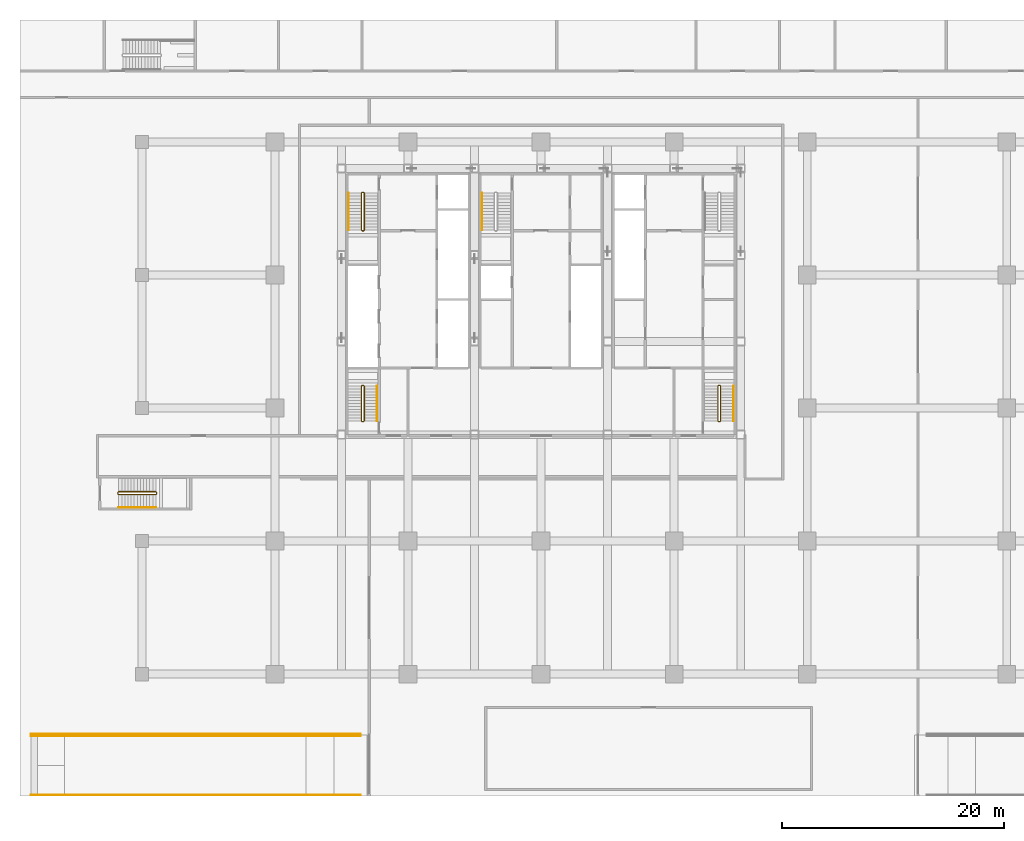
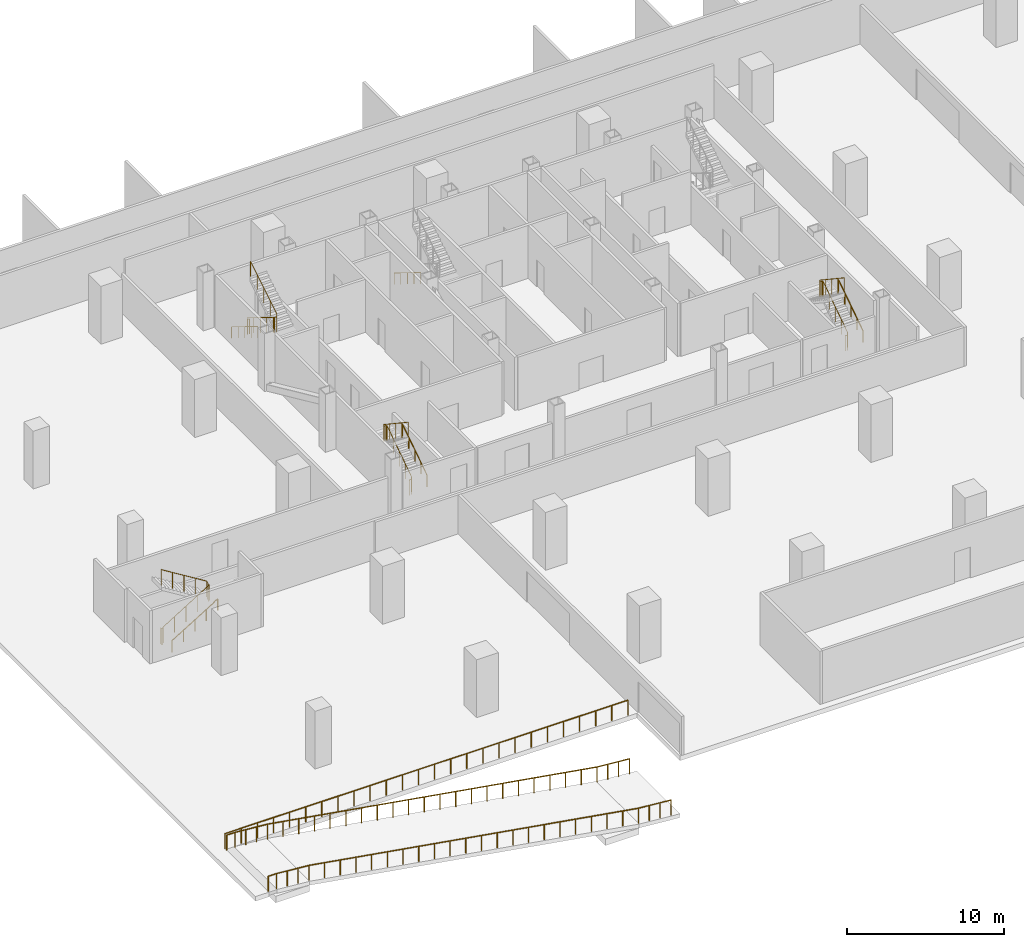
# One storey, part 13 of 15: 12 railings.
"""IFC4 building model written with IfcOpenShell, lengths in metres."""

from ifc_helpers import new_model, si_unit, direction, frame, origin, origin_2d, place, context, subcontext, project, spatial, circle, extrude, material, type_object, element, save


model = new_model("IFC4")

# Units and contexts
model_context = context("Model", 3, precision=1e-05, world=origin(), true_north=direction((0.0, 1.0)))
body_context = subcontext(model_context, "Body", "Model", "MODEL_VIEW")
ifc_project = project(units=[si_unit("LENGTHUNIT", "METRE"), si_unit("AREAUNIT", "SQUARE_METRE"), si_unit("VOLUMEUNIT", "CUBIC_METRE"), si_unit("PLANEANGLEUNIT", "RADIAN"), si_unit("MASSUNIT", "GRAM", prefix="KILO")], contexts=[model_context])

# Site, building, storey
site_placement = place(None, origin())
site = spatial("IfcSite", under=ifc_project, at=site_placement, CompositionType="ELEMENT")
building_placement = place(site_placement, origin())
building = spatial("IfcBuilding", under=site, at=building_placement, Name="Sorahane Residences", CompositionType="ELEMENT")
storey_placement = place(building_placement, frame((0.0, 0.0, -4.5)))
storey = spatial("IfcBuildingStorey", under=building, at=storey_placement, Name="B1", CompositionType="ELEMENT", Elevation=-4.5)

# Railings
ifc_material_1 = material(Name="Steel Q355B", Category="steel")
railing_type_1 = type_object("IfcRailingType", Name="Ramp opening guard 1200 Steel Q355B", PredefinedType="GUARDRAIL", material=ifc_material_1)
railing_1_placement = place(storey_placement, frame((-22.0, -10.89990234375, 0.0)))
element("IfcRailing", 1, at=railing_1_placement, inside=storey, type_object=railing_type_1, Name="B1 ramp flight guard south", PredefinedType="GUARDRAIL", context=body_context, shape_type="SweptSolid", body=[
    extrude(circle(Radius=0.02392578125, at=origin_2d()), frame((0.0, 0.0, 1.17578125), z_axis=(1.0, 0.0, 0.0), x_axis=(0.0, 1.0, 0.0)), (0.0, 0.0, 1.0), 0.60009765625),
    extrude(circle(Radius=0.02392578125, at=origin_2d()), frame((0.60009765625, 0.0, 1.17578125), z_axis=(0.996547156423, 0.0, -0.083028700011), x_axis=(0.0, 1.0, 0.0)), (0.0, 0.0, 1.0), 2.408203125),
    extrude(circle(Radius=0.02392578125, at=origin_2d()), frame((3.0, 0.0, 0.97607421875), z_axis=(0.986393655987, 0.0, -0.164400594367), x_axis=(0.0, 1.0, 0.0)), (0.0, 0.0, 1.0), 24.63525390625),
    extrude(circle(Radius=0.02392578125, at=origin_2d()), frame((27.300048828125, 0.0, -3.07421875), z_axis=(0.996547156423, 0.0, -0.083028700011), x_axis=(0.0, 1.0, 0.0)), (0.0, 0.0, 1.0), 2.408203125),
    extrude(circle(Radius=0.02099609375, at=origin_2d()), origin(), (0.0, 0.0, 1.0), 1.15185546875),
    extrude(circle(Radius=0.02099609375, at=origin_2d()), frame((0.60009765625, 0.0, 0.0)), (0.0, 0.0, 1.0), 1.15185546875),
    extrude(circle(Radius=0.02099609375, at=origin_2d()), frame((1.400146484375, 0.0, -0.066650390625)), (0.0, 0.0, 1.0), 1.15185546875),
    extrude(circle(Radius=0.02099609375, at=origin_2d()), frame((2.199951171875, 0.0, -0.13330078125)), (0.0, 0.0, 1.0), 1.15185546875),
    extrude(circle(Radius=0.02099609375, at=origin_2d()), frame((3.0, 0.0, -0.199951171875)), (0.0, 0.0, 1.0), 1.15185546875),
    extrude(circle(Radius=0.02099609375, at=origin_2d()), frame((4.1572265625, 0.0, -0.392822265625)), (0.0, 0.0, 1.0), 1.15185546875),
    extrude(circle(Radius=0.02099609375, at=origin_2d()), frame((5.314208984375, 0.0, -0.585693359375)), (0.0, 0.0, 1.0), 1.15185546875),
    extrude(circle(Radius=0.02099609375, at=origin_2d()), frame((6.471435546875, 0.0, -0.778564453125)), (0.0, 0.0, 1.0), 1.15185546875),
    extrude(circle(Radius=0.02099609375, at=origin_2d()), frame((7.628662109375, 0.0, -0.971435546875)), (0.0, 0.0, 1.0), 1.15185546875),
    extrude(circle(Radius=0.02099609375, at=origin_2d()), frame((8.78564453125, 0.0, -1.164306640625)), (0.0, 0.0, 1.0), 1.15185546875),
    extrude(circle(Radius=0.02099609375, at=origin_2d()), frame((9.94287109375, 0.0, -1.357177734375)), (0.0, 0.0, 1.0), 1.15185546875),
    extrude(circle(Radius=0.02099609375, at=origin_2d()), frame((11.10009765625, 0.0, -1.550048828125)), (0.0, 0.0, 1.0), 1.15185546875),
    extrude(circle(Radius=0.02099609375, at=origin_2d()), frame((12.257080078125, 0.0, -1.742919921875)), (0.0, 0.0, 1.0), 1.15185546875),
    extrude(circle(Radius=0.02099609375, at=origin_2d()), frame((13.414306640625, 0.0, -1.935791015625)), (0.0, 0.0, 1.0), 1.15185546875),
    extrude(circle(Radius=0.02099609375, at=origin_2d()), frame((14.571533203125, 0.0, -2.128662109375)), (0.0, 0.0, 1.0), 1.15185546875),
    extrude(circle(Radius=0.02099609375, at=origin_2d()), frame((15.728515625, 0.0, -2.3212890625)), (0.0, 0.0, 1.0), 1.15185546875),
    extrude(circle(Radius=0.02099609375, at=origin_2d()), frame((16.8857421875, 0.0, -2.51416015625)), (0.0, 0.0, 1.0), 1.15185546875),
    extrude(circle(Radius=0.02099609375, at=origin_2d()), frame((18.04296875, 0.0, -2.70703125)), (0.0, 0.0, 1.0), 1.15185546875),
    extrude(circle(Radius=0.02099609375, at=origin_2d()), frame((19.199951171875, 0.0, -2.89990234375)), (0.0, 0.0, 1.0), 1.15185546875),
    extrude(circle(Radius=0.02099609375, at=origin_2d()), frame((20.357177734375, 0.0, -3.0927734375)), (0.0, 0.0, 1.0), 1.15185546875),
    extrude(circle(Radius=0.02099609375, at=origin_2d()), frame((21.514404296875, 0.0, -3.28564453125)), (0.0, 0.0, 1.0), 1.15185546875),
    extrude(circle(Radius=0.02099609375, at=origin_2d()), frame((22.67138671875, 0.0, -3.478515625)), (0.0, 0.0, 1.0), 1.15185546875),
    extrude(circle(Radius=0.02099609375, at=origin_2d()), frame((23.82861328125, 0.0, -3.67138671875)), (0.0, 0.0, 1.0), 1.15185546875),
    extrude(circle(Radius=0.02099609375, at=origin_2d()), frame((24.98583984375, 0.0, -3.8642578125)), (0.0, 0.0, 1.0), 1.15185546875),
    extrude(circle(Radius=0.02099609375, at=origin_2d()), frame((26.142822265625, 0.0, -4.05712890625)), (0.0, 0.0, 1.0), 1.15185546875),
    extrude(circle(Radius=0.02099609375, at=origin_2d()), frame((27.300048828125, 0.0, -4.25)), (0.0, 0.0, 1.0), 1.15185546875),
    extrude(circle(Radius=0.02099609375, at=origin_2d()), frame((28.10009765625, 0.0, -4.316650390625)), (0.0, 0.0, 1.0), 1.15185546875),
    extrude(circle(Radius=0.02099609375, at=origin_2d()), frame((28.89990234375, 0.0, -4.38330078125)), (0.0, 0.0, 1.0), 1.15185546875),
    extrude(circle(Radius=0.02099609375, at=origin_2d()), frame((29.699951171875, 0.0, -4.449951171875)), (0.0, 0.0, 1.0), 1.15185546875),
])
railing_2_placement = place(storey_placement, frame((-22.0, -5.60009765625, 0.0)))
element("IfcRailing", 2, at=railing_2_placement, inside=storey, type_object=railing_type_1, Name="B1 ramp flight guard north", PredefinedType="GUARDRAIL", context=body_context, shape_type="SweptSolid", body=[
    extrude(circle(Radius=0.02392578125, at=origin_2d()), frame((0.0, 0.0, 1.17578125), z_axis=(1.0, 0.0, 0.0), x_axis=(0.0, 1.0, 0.0)), (0.0, 0.0, 1.0), 0.60009765625),
    extrude(circle(Radius=0.02392578125, at=origin_2d()), frame((0.60009765625, 0.0, 1.17578125), z_axis=(0.996547156423, 0.0, -0.083028700011), x_axis=(0.0, 1.0, 0.0)), (0.0, 0.0, 1.0), 2.408203125),
    extrude(circle(Radius=0.02392578125, at=origin_2d()), frame((3.0, 0.0, 0.97607421875), z_axis=(0.986393655987, 0.0, -0.164400594367), x_axis=(0.0, 1.0, 0.0)), (0.0, 0.0, 1.0), 24.63525390625),
    extrude(circle(Radius=0.02392578125, at=origin_2d()), frame((27.300048828125, 0.0, -3.07421875), z_axis=(0.996547156423, 0.0, -0.083028700011), x_axis=(0.0, 1.0, 0.0)), (0.0, 0.0, 1.0), 2.408203125),
    extrude(circle(Radius=0.02099609375, at=origin_2d()), origin(), (0.0, 0.0, 1.0), 1.15185546875),
    extrude(circle(Radius=0.02099609375, at=origin_2d()), frame((0.60009765625, 0.0, 0.0)), (0.0, 0.0, 1.0), 1.15185546875),
    extrude(circle(Radius=0.02099609375, at=origin_2d()), frame((1.400146484375, 0.0, -0.066650390625)), (0.0, 0.0, 1.0), 1.15185546875),
    extrude(circle(Radius=0.02099609375, at=origin_2d()), frame((2.199951171875, 0.0, -0.13330078125)), (0.0, 0.0, 1.0), 1.15185546875),
    extrude(circle(Radius=0.02099609375, at=origin_2d()), frame((3.0, 0.0, -0.199951171875)), (0.0, 0.0, 1.0), 1.15185546875),
    extrude(circle(Radius=0.02099609375, at=origin_2d()), frame((4.1572265625, 0.0, -0.392822265625)), (0.0, 0.0, 1.0), 1.15185546875),
    extrude(circle(Radius=0.02099609375, at=origin_2d()), frame((5.314208984375, 0.0, -0.585693359375)), (0.0, 0.0, 1.0), 1.15185546875),
    extrude(circle(Radius=0.02099609375, at=origin_2d()), frame((6.471435546875, 0.0, -0.778564453125)), (0.0, 0.0, 1.0), 1.15185546875),
    extrude(circle(Radius=0.02099609375, at=origin_2d()), frame((7.628662109375, 0.0, -0.971435546875)), (0.0, 0.0, 1.0), 1.15185546875),
    extrude(circle(Radius=0.02099609375, at=origin_2d()), frame((8.78564453125, 0.0, -1.164306640625)), (0.0, 0.0, 1.0), 1.15185546875),
    extrude(circle(Radius=0.02099609375, at=origin_2d()), frame((9.94287109375, 0.0, -1.357177734375)), (0.0, 0.0, 1.0), 1.15185546875),
    extrude(circle(Radius=0.02099609375, at=origin_2d()), frame((11.10009765625, 0.0, -1.550048828125)), (0.0, 0.0, 1.0), 1.15185546875),
    extrude(circle(Radius=0.02099609375, at=origin_2d()), frame((12.257080078125, 0.0, -1.742919921875)), (0.0, 0.0, 1.0), 1.15185546875),
    extrude(circle(Radius=0.02099609375, at=origin_2d()), frame((13.414306640625, 0.0, -1.935791015625)), (0.0, 0.0, 1.0), 1.15185546875),
    extrude(circle(Radius=0.02099609375, at=origin_2d()), frame((14.571533203125, 0.0, -2.128662109375)), (0.0, 0.0, 1.0), 1.15185546875),
    extrude(circle(Radius=0.02099609375, at=origin_2d()), frame((15.728515625, 0.0, -2.3212890625)), (0.0, 0.0, 1.0), 1.15185546875),
    extrude(circle(Radius=0.02099609375, at=origin_2d()), frame((16.8857421875, 0.0, -2.51416015625)), (0.0, 0.0, 1.0), 1.15185546875),
    extrude(circle(Radius=0.02099609375, at=origin_2d()), frame((18.04296875, 0.0, -2.70703125)), (0.0, 0.0, 1.0), 1.15185546875),
    extrude(circle(Radius=0.02099609375, at=origin_2d()), frame((19.199951171875, 0.0, -2.89990234375)), (0.0, 0.0, 1.0), 1.15185546875),
    extrude(circle(Radius=0.02099609375, at=origin_2d()), frame((20.357177734375, 0.0, -3.0927734375)), (0.0, 0.0, 1.0), 1.15185546875),
    extrude(circle(Radius=0.02099609375, at=origin_2d()), frame((21.514404296875, 0.0, -3.28564453125)), (0.0, 0.0, 1.0), 1.15185546875),
    extrude(circle(Radius=0.02099609375, at=origin_2d()), frame((22.67138671875, 0.0, -3.478515625)), (0.0, 0.0, 1.0), 1.15185546875),
    extrude(circle(Radius=0.02099609375, at=origin_2d()), frame((23.82861328125, 0.0, -3.67138671875)), (0.0, 0.0, 1.0), 1.15185546875),
    extrude(circle(Radius=0.02099609375, at=origin_2d()), frame((24.98583984375, 0.0, -3.8642578125)), (0.0, 0.0, 1.0), 1.15185546875),
    extrude(circle(Radius=0.02099609375, at=origin_2d()), frame((26.142822265625, 0.0, -4.05712890625)), (0.0, 0.0, 1.0), 1.15185546875),
    extrude(circle(Radius=0.02099609375, at=origin_2d()), frame((27.300048828125, 0.0, -4.25)), (0.0, 0.0, 1.0), 1.15185546875),
    extrude(circle(Radius=0.02099609375, at=origin_2d()), frame((28.10009765625, 0.0, -4.316650390625)), (0.0, 0.0, 1.0), 1.15185546875),
    extrude(circle(Radius=0.02099609375, at=origin_2d()), frame((28.89990234375, 0.0, -4.38330078125)), (0.0, 0.0, 1.0), 1.15185546875),
    extrude(circle(Radius=0.02099609375, at=origin_2d()), frame((29.699951171875, 0.0, -4.449951171875)), (0.0, 0.0, 1.0), 1.15185546875),
])
railing_3_placement = place(storey_placement, frame((-22.0, -5.39990234375, 0.0)))
element("IfcRailing", 3, at=railing_3_placement, inside=storey, type_object=railing_type_1, Name="B1 ramp opening guard", PredefinedType="GUARDRAIL", context=body_context, shape_type="SweptSolid", body=[
    extrude(circle(Radius=0.02392578125, at=origin_2d()), frame((0.0, 0.0, 1.17578125), z_axis=(1.0, 0.0, 0.0), x_axis=(0.0, 1.0, 0.0)), (0.0, 0.0, 1.0), 29.699951171875),
    extrude(circle(Radius=0.02099609375, at=origin_2d()), origin(), (0.0, 0.0, 1.0), 1.15185546875),
    extrude(circle(Radius=0.02099609375, at=origin_2d()), frame((1.18798828125, 0.0, 0.0)), (0.0, 0.0, 1.0), 1.15185546875),
    extrude(circle(Radius=0.02099609375, at=origin_2d()), frame((2.3759765625, 0.0, 0.0)), (0.0, 0.0, 1.0), 1.15185546875),
    extrude(circle(Radius=0.02099609375, at=origin_2d()), frame((3.56396484375, 0.0, 0.0)), (0.0, 0.0, 1.0), 1.15185546875),
    extrude(circle(Radius=0.02099609375, at=origin_2d()), frame((4.751953125, 0.0, 0.0)), (0.0, 0.0, 1.0), 1.15185546875),
    extrude(circle(Radius=0.02099609375, at=origin_2d()), frame((5.93994140625, 0.0, 0.0)), (0.0, 0.0, 1.0), 1.15185546875),
    extrude(circle(Radius=0.02099609375, at=origin_2d()), frame((7.1279296875, 0.0, 0.0)), (0.0, 0.0, 1.0), 1.15185546875),
    extrude(circle(Radius=0.02099609375, at=origin_2d()), frame((8.31591796875, 0.0, 0.0)), (0.0, 0.0, 1.0), 1.15185546875),
    extrude(circle(Radius=0.02099609375, at=origin_2d()), frame((9.50390625, 0.0, 0.0)), (0.0, 0.0, 1.0), 1.15185546875),
    extrude(circle(Radius=0.02099609375, at=origin_2d()), frame((10.69189453125, 0.0, 0.0)), (0.0, 0.0, 1.0), 1.15185546875),
    extrude(circle(Radius=0.02099609375, at=origin_2d()), frame((11.8798828125, 0.0, 0.0)), (0.0, 0.0, 1.0), 1.15185546875),
    extrude(circle(Radius=0.02099609375, at=origin_2d()), frame((13.06787109375, 0.0, 0.0)), (0.0, 0.0, 1.0), 1.15185546875),
    extrude(circle(Radius=0.02099609375, at=origin_2d()), frame((14.255859375, 0.0, 0.0)), (0.0, 0.0, 1.0), 1.15185546875),
    extrude(circle(Radius=0.02099609375, at=origin_2d()), frame((15.444091796875, 0.0, 0.0)), (0.0, 0.0, 1.0), 1.15185546875),
    extrude(circle(Radius=0.02099609375, at=origin_2d()), frame((16.632080078125, 0.0, 0.0)), (0.0, 0.0, 1.0), 1.15185546875),
    extrude(circle(Radius=0.02099609375, at=origin_2d()), frame((17.820068359375, 0.0, 0.0)), (0.0, 0.0, 1.0), 1.15185546875),
    extrude(circle(Radius=0.02099609375, at=origin_2d()), frame((19.008056640625, 0.0, 0.0)), (0.0, 0.0, 1.0), 1.15185546875),
    extrude(circle(Radius=0.02099609375, at=origin_2d()), frame((20.196044921875, 0.0, 0.0)), (0.0, 0.0, 1.0), 1.15185546875),
    extrude(circle(Radius=0.02099609375, at=origin_2d()), frame((21.384033203125, 0.0, 0.0)), (0.0, 0.0, 1.0), 1.15185546875),
    extrude(circle(Radius=0.02099609375, at=origin_2d()), frame((22.572021484375, 0.0, 0.0)), (0.0, 0.0, 1.0), 1.15185546875),
    extrude(circle(Radius=0.02099609375, at=origin_2d()), frame((23.760009765625, 0.0, 0.0)), (0.0, 0.0, 1.0), 1.15185546875),
    extrude(circle(Radius=0.02099609375, at=origin_2d()), frame((24.947998046875, 0.0, 0.0)), (0.0, 0.0, 1.0), 1.15185546875),
    extrude(circle(Radius=0.02099609375, at=origin_2d()), frame((26.135986328125, 0.0, 0.0)), (0.0, 0.0, 1.0), 1.15185546875),
    extrude(circle(Radius=0.02099609375, at=origin_2d()), frame((27.323974609375, 0.0, 0.0)), (0.0, 0.0, 1.0), 1.15185546875),
    extrude(circle(Radius=0.02099609375, at=origin_2d()), frame((28.511962890625, 0.0, 0.0)), (0.0, 0.0, 1.0), 1.15185546875),
    extrude(circle(Radius=0.02099609375, at=origin_2d()), frame((29.699951171875, 0.0, 0.0)), (0.0, 0.0, 1.0), 1.15185546875),
])
ifc_material_2 = material(Name="Steel Q355B", Category="steel")
railing_type_2 = type_object("IfcRailingType", Name="Stair guard 1200 Steel Q355B", PredefinedType="GUARDRAIL", material=ifc_material_2)
railing_4_placement = place(storey_placement, frame((8.0, 43.449951171875, 0.0)))
element("IfcRailing", 4, at=railing_4_placement, inside=storey, type_object=railing_type_2, Name="B1 S1 stair guard 1", PredefinedType="GUARDRAIL", context=body_context, shape_type="SweptSolid", body=[
    extrude(circle(Radius=0.02392578125, at=origin_2d()), frame((0.0, 0.0, 1.17578125), z_axis=(-1.0, 0.0, 0.0), x_axis=(0.0, -1.0, 0.0)), (0.0, 0.0, 1.0), 0.14990234375),
    extrude(circle(Radius=0.02392578125, at=origin_2d()), frame((-0.14990234375, 0.0, 1.17578125), z_axis=(-0.267629722418, -0.267629722418, 0.925607186314), x_axis=(0.707106781187, -0.707106781187, 0.0)), (0.0, 0.0, 1.0), 0.18701171875),
    extrude(circle(Radius=0.02392578125, at=origin_2d()), frame((-0.199951171875, -0.050048828125, 1.34912109375), z_axis=(0.0, -0.850606129759, 0.525803396734), x_axis=(1.0, 0.0, 0.0)), (0.0, 0.0, 1.0), 3.949951171875),
    extrude(circle(Radius=0.02392578125, at=origin_2d()), frame((-0.199951171875, -3.409912109375, 3.42578125), z_axis=(0.707106781187, -0.707106781187, 0.0), x_axis=(0.707106781187, 0.707106781187, 0.0)), (0.0, 0.0, 1.0), 0.07080078125),
    extrude(circle(Radius=0.02392578125, at=origin_2d()), frame((-0.14990234375, -3.4599609375, 3.42578125), z_axis=(1.0, 0.0, 0.0), x_axis=(0.0, 1.0, 0.0)), (0.0, 0.0, 1.0), 0.14990234375),
    extrude(circle(Radius=0.02392578125, at=origin_2d()), frame((0.0, -3.4599609375, 3.42578125), z_axis=(0.267629722418, 0.267629722418, 0.925607186314), x_axis=(-0.707106781187, 0.707106781187, 0.0)), (0.0, 0.0, 1.0), 0.18701171875),
    extrude(circle(Radius=0.02392578125, at=origin_2d()), frame((0.050048828125, -3.409912109375, 3.59912109375), z_axis=(0.0, 0.850606129759, 0.525803396734), x_axis=(-1.0, 0.0, 0.0)), (0.0, 0.0, 1.0), 3.949951171875),
    extrude(circle(Radius=0.02099609375, at=origin_2d()), origin(), (0.0, 0.0, 1.0), 1.15185546875),
    extrude(circle(Radius=0.02099609375, at=origin_2d()), frame((-0.14990234375, 0.0, 0.0)), (0.0, 0.0, 1.0), 1.15185546875),
    extrude(circle(Radius=0.02099609375, at=origin_2d()), frame((-0.199951171875, -0.050048828125, 0.173095703125)), (0.0, 0.0, 1.0), 1.15185546875),
    extrude(circle(Radius=0.02099609375, at=origin_2d()), frame((-0.199951171875, -0.89013671875, 0.6923828125)), (0.0, 0.0, 1.0), 1.15185546875),
    extrude(circle(Radius=0.02099609375, at=origin_2d()), frame((-0.199951171875, -1.72998046875, 1.21142578125)), (0.0, 0.0, 1.0), 1.15185546875),
    extrude(circle(Radius=0.02099609375, at=origin_2d()), frame((-0.199951171875, -2.56982421875, 1.730712890625)), (0.0, 0.0, 1.0), 1.15185546875),
    extrude(circle(Radius=0.02099609375, at=origin_2d()), frame((-0.199951171875, -3.409912109375, 2.25)), (0.0, 0.0, 1.0), 1.15185546875),
    extrude(circle(Radius=0.02099609375, at=origin_2d()), frame((-0.14990234375, -3.4599609375, 2.25)), (0.0, 0.0, 1.0), 1.15185546875),
    extrude(circle(Radius=0.02099609375, at=origin_2d()), frame((0.0, -3.4599609375, 2.25)), (0.0, 0.0, 1.0), 1.15185546875),
    extrude(circle(Radius=0.02099609375, at=origin_2d()), frame((0.050048828125, -3.409912109375, 2.423095703125)), (0.0, 0.0, 1.0), 1.15185546875),
    extrude(circle(Radius=0.02099609375, at=origin_2d()), frame((0.050048828125, -2.56982421875, 2.9423828125)), (0.0, 0.0, 1.0), 1.15185546875),
    extrude(circle(Radius=0.02099609375, at=origin_2d()), frame((0.050048828125, -1.72998046875, 3.46142578125)), (0.0, 0.0, 1.0), 1.15185546875),
    extrude(circle(Radius=0.02099609375, at=origin_2d()), frame((0.050048828125, -0.89013671875, 3.980712890625)), (0.0, 0.0, 1.0), 1.15185546875),
    extrude(circle(Radius=0.02099609375, at=origin_2d()), frame((0.050048828125, -0.050048828125, 4.5)), (0.0, 0.0, 1.0), 1.15185546875),
])
railing_5_placement = place(storey_placement, frame((7.85009765625, 22.800048828125, 0.0)))
element("IfcRailing", 5, at=railing_5_placement, inside=storey, type_object=railing_type_2, Name="B1 S4 stair guard 1", PredefinedType="GUARDRAIL", context=body_context, shape_type="SweptSolid", body=[
    extrude(circle(Radius=0.02392578125, at=origin_2d()), frame((0.0, 0.0, 1.17578125), z_axis=(1.0, 0.0, 0.0), x_axis=(0.0, 1.0, 0.0)), (0.0, 0.0, 1.0), 0.14990234375),
    extrude(circle(Radius=0.02392578125, at=origin_2d()), frame((0.14990234375, 0.0, 1.17578125), z_axis=(0.267629722418, 0.267629722418, 0.925607186314), x_axis=(-0.707106781187, 0.707106781187, 0.0)), (0.0, 0.0, 1.0), 0.18701171875),
    extrude(circle(Radius=0.02392578125, at=origin_2d()), frame((0.199951171875, 0.050048828125, 1.34912109375), z_axis=(0.0, 0.832420903958, 0.554143879018), x_axis=(-1.0, 0.0, 0.0)), (0.0, 0.0, 1.0), 3.748046875),
    extrude(circle(Radius=0.02392578125, at=origin_2d()), frame((0.199951171875, 3.169921875, 3.42578125), z_axis=(-0.707106781187, 0.707106781187, 0.0), x_axis=(-0.707106781187, -0.707106781187, 0.0)), (0.0, 0.0, 1.0), 0.07080078125),
    extrude(circle(Radius=0.02392578125, at=origin_2d()), frame((0.14990234375, 3.219970703125, 3.42578125), z_axis=(-1.0, 0.0, 0.0), x_axis=(0.0, -1.0, 0.0)), (0.0, 0.0, 1.0), 0.14990234375),
    extrude(circle(Radius=0.02392578125, at=origin_2d()), frame((0.0, 3.219970703125, 3.42578125), z_axis=(-0.267629722418, -0.267629722418, 0.925607186314), x_axis=(0.707106781187, -0.707106781187, 0.0)), (0.0, 0.0, 1.0), 0.18701171875),
    extrude(circle(Radius=0.02392578125, at=origin_2d()), frame((-0.050048828125, 3.169921875, 3.59912109375), z_axis=(0.0, -0.832420903958, 0.554143879018), x_axis=(1.0, 0.0, 0.0)), (0.0, 0.0, 1.0), 3.748046875),
    extrude(circle(Radius=0.02099609375, at=origin_2d()), origin(), (0.0, 0.0, 1.0), 1.15185546875),
    extrude(circle(Radius=0.02099609375, at=origin_2d()), frame((0.14990234375, 0.0, 0.0)), (0.0, 0.0, 1.0), 1.15185546875),
    extrude(circle(Radius=0.02099609375, at=origin_2d()), frame((0.199951171875, 0.050048828125, 0.173095703125)), (0.0, 0.0, 1.0), 1.15185546875),
    extrude(circle(Radius=0.02099609375, at=origin_2d()), frame((0.199951171875, 0.830078125, 0.6923828125)), (0.0, 0.0, 1.0), 1.15185546875),
    extrude(circle(Radius=0.02099609375, at=origin_2d()), frame((0.199951171875, 1.60986328125, 1.21142578125)), (0.0, 0.0, 1.0), 1.15185546875),
    extrude(circle(Radius=0.02099609375, at=origin_2d()), frame((0.199951171875, 2.389892578125, 1.730712890625)), (0.0, 0.0, 1.0), 1.15185546875),
    extrude(circle(Radius=0.02099609375, at=origin_2d()), frame((0.199951171875, 3.169921875, 2.25)), (0.0, 0.0, 1.0), 1.15185546875),
    extrude(circle(Radius=0.02099609375, at=origin_2d()), frame((0.14990234375, 3.219970703125, 2.25)), (0.0, 0.0, 1.0), 1.15185546875),
    extrude(circle(Radius=0.02099609375, at=origin_2d()), frame((0.0, 3.219970703125, 2.25)), (0.0, 0.0, 1.0), 1.15185546875),
    extrude(circle(Radius=0.02099609375, at=origin_2d()), frame((-0.050048828125, 3.169921875, 2.423095703125)), (0.0, 0.0, 1.0), 1.15185546875),
    extrude(circle(Radius=0.02099609375, at=origin_2d()), frame((-0.050048828125, 2.389892578125, 2.9423828125)), (0.0, 0.0, 1.0), 1.15185546875),
    extrude(circle(Radius=0.02099609375, at=origin_2d()), frame((-0.050048828125, 1.60986328125, 3.46142578125)), (0.0, 0.0, 1.0), 1.15185546875),
    extrude(circle(Radius=0.02099609375, at=origin_2d()), frame((-0.050048828125, 0.830078125, 3.980712890625)), (0.0, 0.0, 1.0), 1.15185546875),
    extrude(circle(Radius=0.02099609375, at=origin_2d()), frame((-0.050048828125, 0.050048828125, 4.5)), (0.0, 0.0, 1.0), 1.15185546875),
])
railing_6_placement = place(storey_placement, frame((40.0, 22.800048828125, 0.0)))
element("IfcRailing", 6, at=railing_6_placement, inside=storey, type_object=railing_type_2, Name="B1 S5 stair guard 1", PredefinedType="GUARDRAIL", context=body_context, shape_type="SweptSolid", body=[
    extrude(circle(Radius=0.02392578125, at=origin_2d()), frame((0.0, 0.0, 1.17578125), z_axis=(1.0, 0.0, 0.0), x_axis=(0.0, 1.0, 0.0)), (0.0, 0.0, 1.0), 0.14990234375),
    extrude(circle(Radius=0.02392578125, at=origin_2d()), frame((0.14990234375, 0.0, 1.17578125), z_axis=(0.267629722418, 0.267629722418, 0.925607186314), x_axis=(-0.707106781187, 0.707106781187, 0.0)), (0.0, 0.0, 1.0), 0.18701171875),
    extrude(circle(Radius=0.02392578125, at=origin_2d()), frame((0.199951171875, 0.050048828125, 1.34912109375), z_axis=(0.0, 0.832420903958, 0.554143879018), x_axis=(-1.0, 0.0, 0.0)), (0.0, 0.0, 1.0), 3.748046875),
    extrude(circle(Radius=0.02392578125, at=origin_2d()), frame((0.199951171875, 3.169921875, 3.42578125), z_axis=(-0.707106781187, 0.707106781187, 0.0), x_axis=(-0.707106781187, -0.707106781187, 0.0)), (0.0, 0.0, 1.0), 0.07080078125),
    extrude(circle(Radius=0.02392578125, at=origin_2d()), frame((0.14990234375, 3.219970703125, 3.42578125), z_axis=(-1.0, 0.0, 0.0), x_axis=(0.0, -1.0, 0.0)), (0.0, 0.0, 1.0), 0.14990234375),
    extrude(circle(Radius=0.02392578125, at=origin_2d()), frame((0.0, 3.219970703125, 3.42578125), z_axis=(-0.267629722418, -0.267629722418, 0.925607186314), x_axis=(0.707106781187, -0.707106781187, 0.0)), (0.0, 0.0, 1.0), 0.18701171875),
    extrude(circle(Radius=0.02392578125, at=origin_2d()), frame((-0.050048828125, 3.169921875, 3.59912109375), z_axis=(0.0, -0.832420903958, 0.554143879018), x_axis=(1.0, 0.0, 0.0)), (0.0, 0.0, 1.0), 3.748046875),
    extrude(circle(Radius=0.02099609375, at=origin_2d()), origin(), (0.0, 0.0, 1.0), 1.15185546875),
    extrude(circle(Radius=0.02099609375, at=origin_2d()), frame((0.14990234375, 0.0, 0.0)), (0.0, 0.0, 1.0), 1.15185546875),
    extrude(circle(Radius=0.02099609375, at=origin_2d()), frame((0.199951171875, 0.050048828125, 0.173095703125)), (0.0, 0.0, 1.0), 1.15185546875),
    extrude(circle(Radius=0.02099609375, at=origin_2d()), frame((0.199951171875, 0.830078125, 0.6923828125)), (0.0, 0.0, 1.0), 1.15185546875),
    extrude(circle(Radius=0.02099609375, at=origin_2d()), frame((0.199951171875, 1.60986328125, 1.21142578125)), (0.0, 0.0, 1.0), 1.15185546875),
    extrude(circle(Radius=0.02099609375, at=origin_2d()), frame((0.199951171875, 2.389892578125, 1.730712890625)), (0.0, 0.0, 1.0), 1.15185546875),
    extrude(circle(Radius=0.02099609375, at=origin_2d()), frame((0.199951171875, 3.169921875, 2.25)), (0.0, 0.0, 1.0), 1.15185546875),
    extrude(circle(Radius=0.02099609375, at=origin_2d()), frame((0.14990234375, 3.219970703125, 2.25)), (0.0, 0.0, 1.0), 1.15185546875),
    extrude(circle(Radius=0.02099609375, at=origin_2d()), frame((0.0, 3.219970703125, 2.25)), (0.0, 0.0, 1.0), 1.15185546875),
    extrude(circle(Radius=0.02099609375, at=origin_2d()), frame((-0.050048828125, 3.169921875, 2.423095703125)), (0.0, 0.0, 1.0), 1.15185546875),
    extrude(circle(Radius=0.02099609375, at=origin_2d()), frame((-0.050048828125, 2.389892578125, 2.9423828125)), (0.0, 0.0, 1.0), 1.15185546875),
    extrude(circle(Radius=0.02099609375, at=origin_2d()), frame((-0.050048828125, 1.60986328125, 3.46142578125)), (0.0, 0.0, 1.0), 1.15185546875),
    extrude(circle(Radius=0.02099609375, at=origin_2d()), frame((-0.050048828125, 0.830078125, 3.980712890625)), (0.0, 0.0, 1.0), 1.15185546875),
    extrude(circle(Radius=0.02099609375, at=origin_2d()), frame((-0.050048828125, 0.050048828125, 4.5)), (0.0, 0.0, 1.0), 1.15185546875),
])
railing_7_placement = place(storey_placement, frame((-14.14990234375, 16.39990234375, 0.0)))
element("IfcRailing", 7, at=railing_7_placement, inside=storey, type_object=railing_type_2, Name="B1 BS3 stair guard 1", PredefinedType="GUARDRAIL", context=body_context, shape_type="SweptSolid", body=[
    extrude(circle(Radius=0.02392578125, at=origin_2d()), frame((0.0, 0.0, 1.23583984375), z_axis=(0.0, -1.0, 0.0), x_axis=(1.0, 0.0, 0.0)), (0.0, 0.0, 1.0), 0.14990234375),
    extrude(circle(Radius=0.02392578125, at=origin_2d()), frame((0.0, -0.14990234375, 1.23583984375), z_axis=(0.266417085129, -0.267723051232, 0.925929967433), x_axis=(0.708833529934, 0.705375805398, 0.0)), (0.0, 0.0, 1.0), 0.18701171875),
    extrude(circle(Radius=0.02392578125, at=origin_2d()), frame((0.0498046875, -0.199951171875, 1.4091796875), z_axis=(0.850623216509, 0.0, 0.525775754039), x_axis=(0.0, 1.0, 0.0)), (0.0, 0.0, 1.0), 3.9501953125),
    extrude(circle(Radius=0.02392578125, at=origin_2d()), frame((3.409912109375, -0.199951171875, 3.48583984375), z_axis=(0.707106781187, 0.707106781187, 0.0), x_axis=(-0.707106781187, 0.707106781187, 0.0)), (0.0, 0.0, 1.0), 0.07080078125),
    extrude(circle(Radius=0.02392578125, at=origin_2d()), frame((3.4599609375, -0.14990234375, 3.48583984375), z_axis=(0.0, 1.0, 0.0), x_axis=(-1.0, 0.0, 0.0)), (0.0, 0.0, 1.0), 0.14990234375),
    extrude(circle(Radius=0.02392578125, at=origin_2d()), frame((3.4599609375, 0.0, 3.48583984375), z_axis=(-0.267629722418, 0.267629722418, 0.925607186314), x_axis=(-0.707106781187, -0.707106781187, 0.0)), (0.0, 0.0, 1.0), 0.18701171875),
    extrude(circle(Radius=0.02392578125, at=origin_2d()), frame((3.409912109375, 0.050048828125, 3.6591796875), z_axis=(-0.850623216509, 0.0, 0.525775754039), x_axis=(0.0, -1.0, 0.0)), (0.0, 0.0, 1.0), 3.9501953125),
    extrude(circle(Radius=0.02099609375, at=origin_2d()), origin(), (0.0, 0.0, 1.0), 1.2119140625),
    extrude(circle(Radius=0.02099609375, at=origin_2d()), frame((0.0, -0.14990234375, 0.0)), (0.0, 0.0, 1.0), 1.2119140625),
    extrude(circle(Radius=0.02099609375, at=origin_2d()), frame((0.0498046875, -0.199951171875, 0.173095703125)), (0.0, 0.0, 1.0), 1.2119140625),
    extrude(circle(Radius=0.02099609375, at=origin_2d()), frame((0.889892578125, -0.199951171875, 0.6923828125)), (0.0, 0.0, 1.0), 1.2119140625),
    extrude(circle(Radius=0.02099609375, at=origin_2d()), frame((1.72998046875, -0.199951171875, 1.21142578125)), (0.0, 0.0, 1.0), 1.2119140625),
    extrude(circle(Radius=0.02099609375, at=origin_2d()), frame((2.56982421875, -0.199951171875, 1.730712890625)), (0.0, 0.0, 1.0), 1.2119140625),
    extrude(circle(Radius=0.02099609375, at=origin_2d()), frame((3.409912109375, -0.199951171875, 2.25)), (0.0, 0.0, 1.0), 1.2119140625),
    extrude(circle(Radius=0.02099609375, at=origin_2d()), frame((3.4599609375, -0.14990234375, 2.25)), (0.0, 0.0, 1.0), 1.2119140625),
    extrude(circle(Radius=0.02099609375, at=origin_2d()), frame((3.4599609375, 0.0, 2.25)), (0.0, 0.0, 1.0), 1.2119140625),
    extrude(circle(Radius=0.02099609375, at=origin_2d()), frame((3.409912109375, 0.050048828125, 2.423095703125)), (0.0, 0.0, 1.0), 1.2119140625),
    extrude(circle(Radius=0.02099609375, at=origin_2d()), frame((2.56982421875, 0.050048828125, 2.9423828125)), (0.0, 0.0, 1.0), 1.2119140625),
    extrude(circle(Radius=0.02099609375, at=origin_2d()), frame((1.72998046875, 0.050048828125, 3.46142578125)), (0.0, 0.0, 1.0), 1.2119140625),
    extrude(circle(Radius=0.02099609375, at=origin_2d()), frame((0.889892578125, 0.050048828125, 3.980712890625)), (0.0, 0.0, 1.0), 1.2119140625),
    extrude(circle(Radius=0.02099609375, at=origin_2d()), frame((0.0498046875, 0.050048828125, 4.5)), (0.0, 0.0, 1.0), 1.2119140625),
])
ifc_material_3 = material(Name="Steel Q355B", Category="steel")
railing_type_3 = type_object("IfcRailingType", Name="Stair handrail 900 Steel Q355B", PredefinedType="HANDRAIL", material=ifc_material_3)
for number, where, name in (
    (8, (6.64990234375, 43.39990234375, 0.173095703125), "B1 S1 stair handrail 1"),
    (9, (18.64990234375, 43.39990234375, 0.173095703125), "B1 S3 stair handrail 1"),
):
    element("IfcRailing", number, at=place(storey_placement, frame(where)), inside=storey, type_object=railing_type_3, Name=name, PredefinedType="HANDRAIL", context=body_context, shape_type="SweptSolid", body=[
        extrude(circle(Radius=0.02392578125, at=origin_2d()), frame((0.0, 0.0, 0.8759765625), z_axis=(0.0, -0.850606129759, 0.525803396734), x_axis=(1.0, 0.0, 0.0)), (0.0, 0.0, 1.0), 3.949951171875),
        extrude(circle(Radius=0.02099609375, at=origin_2d()), origin(), (0.0, 0.0, 1.0), 0.851806640625),
        extrude(circle(Radius=0.02099609375, at=origin_2d()), frame((0.0, -0.83984375, 0.519287109375)), (0.0, 0.0, 1.0), 0.851806640625),
        extrude(circle(Radius=0.02099609375, at=origin_2d()), frame((0.0, -1.679931640625, 1.03857421875)), (0.0, 0.0, 1.0), 0.851806640625),
        extrude(circle(Radius=0.02099609375, at=origin_2d()), frame((0.0, -2.52001953125, 1.5576171875)), (0.0, 0.0, 1.0), 0.851806640625),
        extrude(circle(Radius=0.02099609375, at=origin_2d()), frame((0.0, -3.35986328125, 2.076904296875)), (0.0, 0.0, 1.0), 0.851806640625),
    ])
for number, where, name in (
    (10, (9.199951171875, 22.85009765625, 0.173095703125), "B1 S4 stair handrail 1"),
    (11, (41.35009765625, 22.85009765625, 0.173095703125), "B1 S5 stair handrail 1"),
):
    element("IfcRailing", number, at=place(storey_placement, frame(where)), inside=storey, type_object=railing_type_3, Name=name, PredefinedType="HANDRAIL", context=body_context, shape_type="SweptSolid", body=[
        extrude(circle(Radius=0.02392578125, at=origin_2d()), frame((0.0, 0.0, 0.8759765625), z_axis=(0.0, 0.832420903958, 0.554143879018), x_axis=(-1.0, 0.0, 0.0)), (0.0, 0.0, 1.0), 3.748046875),
        extrude(circle(Radius=0.02099609375, at=origin_2d()), origin(), (0.0, 0.0, 1.0), 0.851806640625),
        extrude(circle(Radius=0.02099609375, at=origin_2d()), frame((0.0, 0.780029296875, 0.519287109375)), (0.0, 0.0, 1.0), 0.851806640625),
        extrude(circle(Radius=0.02099609375, at=origin_2d()), frame((0.0, 1.56005859375, 1.03857421875)), (0.0, 0.0, 1.0), 0.851806640625),
        extrude(circle(Radius=0.02099609375, at=origin_2d()), frame((0.0, 2.33984375, 1.5576171875)), (0.0, 0.0, 1.0), 0.851806640625),
        extrude(circle(Radius=0.02099609375, at=origin_2d()), frame((0.0, 3.119873046875, 2.076904296875)), (0.0, 0.0, 1.0), 0.851806640625),
    ])
railing_8_placement = place(storey_placement, frame((-14.10009765625, 15.050048828125, 0.173095703125)))
element("IfcRailing", 12, at=railing_8_placement, inside=storey, type_object=railing_type_3, Name="B1 BS3 stair handrail 1", PredefinedType="HANDRAIL", context=body_context, shape_type="SweptSolid", body=[
    extrude(circle(Radius=0.02392578125, at=origin_2d()), frame((0.0, 0.0, 0.8759765625), z_axis=(0.850623216509, 0.0, 0.525775754039), x_axis=(0.0, 1.0, 0.0)), (0.0, 0.0, 1.0), 3.9501953125),
    extrude(circle(Radius=0.02099609375, at=origin_2d()), origin(), (0.0, 0.0, 1.0), 0.851806640625),
    extrude(circle(Radius=0.02099609375, at=origin_2d()), frame((0.840087890625, 0.0, 0.519287109375)), (0.0, 0.0, 1.0), 0.851806640625),
    extrude(circle(Radius=0.02099609375, at=origin_2d()), frame((1.68017578125, 0.0, 1.03857421875)), (0.0, 0.0, 1.0), 0.851806640625),
    extrude(circle(Radius=0.02099609375, at=origin_2d()), frame((2.52001953125, 0.0, 1.5576171875)), (0.0, 0.0, 1.0), 0.851806640625),
    extrude(circle(Radius=0.02099609375, at=origin_2d()), frame((3.360107421875, 0.0, 2.076904296875)), (0.0, 0.0, 1.0), 0.851806640625),
])

save(model, "model.ifc")
